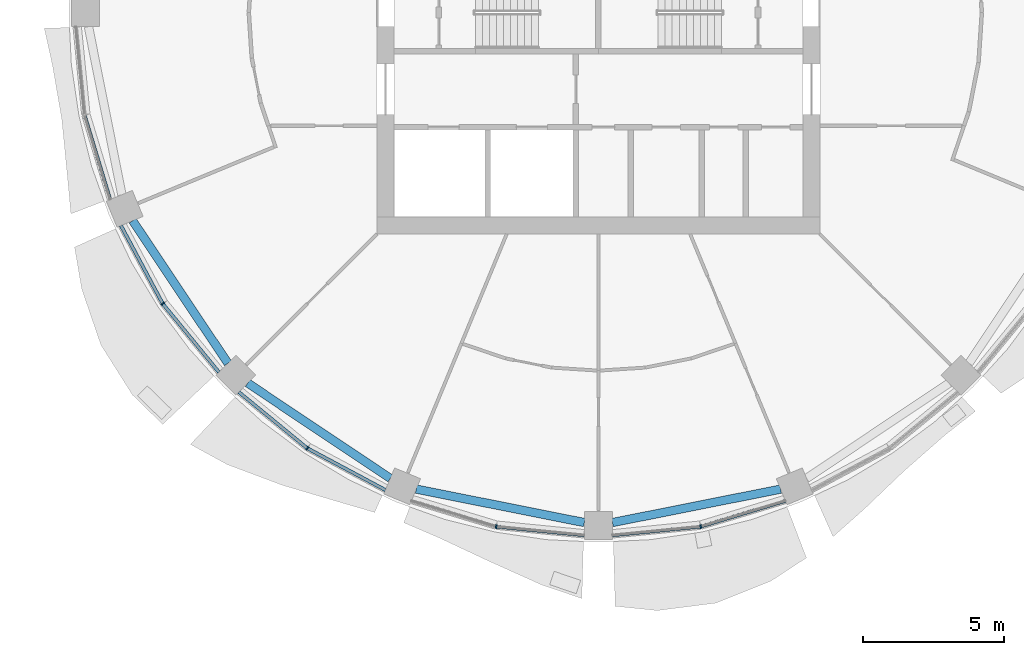
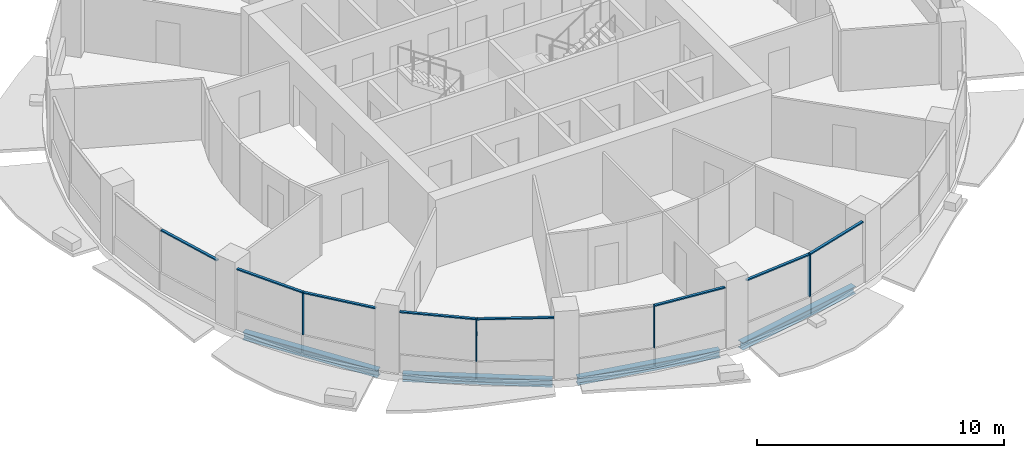
# One storey, part 2 of 15: 12 members, 4 beams, 5 elements without a shape of their own.
"""IFC4 building model written with IfcOpenShell, lengths in metres."""

from ifc_helpers import new_model, si_unit, direction, frame, origin, origin_2d, place, context, subcontext, project, spatial, rectangle, i_section, extrude, material, material_profile, profile_set, type_object, element, aggregate, save


model = new_model("IFC4")

# Units and contexts
model_context = context("Model", 3, precision=1e-05, world=origin(), true_north=direction((0.0, 1.0)))
body_context = subcontext(model_context, "Body", "Model", "MODEL_VIEW")
ifc_project = project(units=[si_unit("LENGTHUNIT", "METRE"), si_unit("AREAUNIT", "SQUARE_METRE"), si_unit("VOLUMEUNIT", "CUBIC_METRE"), si_unit("PLANEANGLEUNIT", "RADIAN"), si_unit("MASSUNIT", "GRAM", prefix="KILO")], contexts=[model_context])

# Site, building, storey
site_placement = place(None, origin())
site = spatial("IfcSite", under=ifc_project, at=site_placement, CompositionType="ELEMENT")
building_placement = place(site_placement, origin())
building = spatial("IfcBuilding", under=site, at=building_placement, Name="Polderwave Tower", CompositionType="ELEMENT")
storey_placement = place(building_placement, frame((0.0, 0.0, 151.10009765625)))
storey = spatial("IfcBuildingStorey", under=building, at=storey_placement, Name="L40", CompositionType="ELEMENT", Elevation=151.10009765625)

# Curtain wall, member
ifc_material_1 = material(Name="Aluminium 6063-T6 and glass", Category="aluminium")
curtain_wall_type = type_object("IfcCurtainWallType", Name="Office ribbon glazing wall", PredefinedType="NOTDEFINED", material=ifc_material_1)
curtain_wall_1_placement = place(storey_placement, origin())
curtain_wall_1 = element("IfcCurtainWall", 1, at=curtain_wall_1_placement, inside=storey, type_object=curtain_wall_type, Name="CW3 L40 09", PredefinedType="NOTDEFINED")
ifc_material_2 = material(Name="Aluminium 6063-T6", Category="aluminium")
ifc_material_profile_1 = material_profile(ifc_material_2, rectangle(XDim=0.139892578125, YDim=0.054931640625, at=origin_2d()), Name="AL 55x140")
ifc_profile_set_1 = profile_set([ifc_material_profile_1], Name="Aluminium 6063-T6")
member_type_1 = type_object("IfcMemberType", Name="Office ribbon glazing mullion 55x140", PredefinedType="MULLION", material=ifc_profile_set_1)
member_1_placement = place(storey_placement, frame((-15.489990234375, -10.35009765625, 0.89990234375), z_axis=(0.0, 0.0, 1.0), x_axis=(0.831484156812, 0.555548465006, 0.0)))
member_1 = element("IfcMember", 2, at=member_1_placement, type_object=member_type_1, Name="CW3 mullion 1", PredefinedType="MULLION", context=body_context, shape_type="SweptSolid", body=[
    extrude(rectangle(XDim=0.139892578125, YDim=0.054931640625, at=origin_2d()), origin(), (0.0, 0.0, 1.0), 2.10009765625),
])

curtain_wall_2_placement = place(storey_placement, origin())
curtain_wall_2 = element("IfcCurtainWall", 3, at=curtain_wall_2_placement, inside=storey, type_object=curtain_wall_type, Name="CW3 L40 10", PredefinedType="NOTDEFINED")
member_2_placement = place(storey_placement, frame((-10.35009765625, -15.489990234375, 0.89990234375), z_axis=(0.0, 0.0, 1.0), x_axis=(0.555548465006, 0.831484156812, 0.0)))
member_2 = element("IfcMember", 4, at=member_2_placement, type_object=member_type_1, Name="CW3 mullion 1", PredefinedType="MULLION", context=body_context, shape_type="SweptSolid", body=[
    extrude(rectangle(XDim=0.139892578125, YDim=0.054931640625, at=origin_2d()), origin(), (0.0, 0.0, 1.0), 2.10009765625),
])

curtain_wall_3_placement = place(storey_placement, origin())
curtain_wall_3 = element("IfcCurtainWall", 5, at=curtain_wall_3_placement, inside=storey, type_object=curtain_wall_type, Name="CW3 L40 11", PredefinedType="NOTDEFINED")
member_3_placement = place(storey_placement, frame((-3.635009765625, -18.27197265625, 0.89990234375), z_axis=(0.0, 0.0, 1.0), x_axis=(0.195083474838, 0.980786642367, 0.0)))
member_3 = element("IfcMember", 6, at=member_3_placement, type_object=member_type_1, Name="CW3 mullion 1", PredefinedType="MULLION", context=body_context, shape_type="SweptSolid", body=[
    extrude(rectangle(XDim=0.139892578125, YDim=0.054931640625, at=origin_2d()), origin(), (0.0, 0.0, 1.0), 2.10009765625),
])

curtain_wall_4_placement = place(storey_placement, origin())
curtain_wall_4 = element("IfcCurtainWall", 7, at=curtain_wall_4_placement, inside=storey, type_object=curtain_wall_type, Name="CW3 L40 12", PredefinedType="NOTDEFINED")
member_4_placement = place(storey_placement, frame((3.635009765625, -18.27197265625, 0.89990234375), z_axis=(0.0, 0.0, 1.0), x_axis=(-0.195083474838, 0.980786642367, 0.0)))
member_4 = element("IfcMember", 8, at=member_4_placement, type_object=member_type_1, Name="CW3 mullion 1", PredefinedType="MULLION", context=body_context, shape_type="SweptSolid", body=[
    extrude(rectangle(XDim=0.139892578125, YDim=0.054931640625, at=origin_2d()), origin(), (0.0, 0.0, 1.0), 2.10009765625),
])

curtain_wall_5_placement = place(storey_placement, origin())
curtain_wall_5 = element("IfcCurtainWall", 9, at=curtain_wall_5_placement, inside=storey, type_object=curtain_wall_type, Name="CW3 L40 08", PredefinedType="NOTDEFINED")
ifc_material_profile_2 = material_profile(ifc_material_2, rectangle(XDim=0.1201171875, YDim=0.06005859375, at=origin_2d()), Name="AL 60x120")
ifc_profile_set_2 = profile_set([ifc_material_profile_2], Name="Aluminium 6063-T6")
member_type_2 = type_object("IfcMemberType", Name="Office ribbon glazing transom 60x120", PredefinedType="USERDEFINED", material=ifc_profile_set_2)
member_5_placement = place(storey_placement, frame((-18.263916015625, -3.661376953125, 2.969970703125), z_axis=(0.290209241883, -0.956963215555, 0.0), x_axis=(0.956963215555, 0.290209241883, 0.0)))
member_5 = element("IfcMember", 10, at=member_5_placement, type_object=member_type_2, Name="CW3 transom 2", ObjectType="TRANSOM", PredefinedType="USERDEFINED", context=body_context, shape_type="SweptSolid", body=[
    extrude(rectangle(XDim=0.1201171875, YDim=0.06005859375, at=origin_2d()), origin(), (0.0, 0.0, 1.0), 3.121826171875),
])
aggregate(curtain_wall_5, [member_5])

# Member
member_6_placement = place(storey_placement, frame((-16.97509765625, -7.572021484375, 2.969970703125), z_axis=(0.471472684712, -0.881880665153, 0.0), x_axis=(0.881880665153, 0.471472684712, 0.0)))
member_6 = element("IfcMember", 11, at=member_6_placement, type_object=member_type_2, Name="CW3 transom 1", ObjectType="TRANSOM", PredefinedType="USERDEFINED", context=body_context, shape_type="SweptSolid", body=[
    extrude(rectangle(XDim=0.1201171875, YDim=0.06005859375, at=origin_2d()), origin(), (0.0, 0.0, 1.0), 3.12255859375),
])

member_7_placement = place(storey_placement, frame((-15.47265625, -10.371337890625, 2.969970703125), z_axis=(0.634382512988, -0.773019292913, 0.0), x_axis=(0.773019292913, 0.634382512988, 0.0)))
member_7 = element("IfcMember", 12, at=member_7_placement, type_object=member_type_2, Name="CW3 transom 2", ObjectType="TRANSOM", PredefinedType="USERDEFINED", context=body_context, shape_type="SweptSolid", body=[
    extrude(rectangle(XDim=0.1201171875, YDim=0.06005859375, at=origin_2d()), origin(), (0.0, 0.0, 1.0), 3.122314453125),
])

aggregate(curtain_wall_1, [member_1, member_6, member_7])

member_8_placement = place(storey_placement, frame((-12.784912109375, -13.491943359375, 2.969970703125), z_axis=(0.773019292913, -0.634382512988, 0.0), x_axis=(0.634382512988, 0.773019292913, 0.0)))
member_8 = element("IfcMember", 13, at=member_8_placement, type_object=member_type_2, Name="CW3 transom 1", ObjectType="TRANSOM", PredefinedType="USERDEFINED", context=body_context, shape_type="SweptSolid", body=[
    extrude(rectangle(XDim=0.1201171875, YDim=0.06005859375, at=origin_2d()), origin(), (0.0, 0.0, 1.0), 3.122314453125),
])

member_9_placement = place(storey_placement, frame((-10.32568359375, -15.5029296875, 2.969970703125), z_axis=(0.881880665153, -0.471472684712, 0.0), x_axis=(0.471472684712, 0.881880665153, 0.0)))
member_9 = element("IfcMember", 14, at=member_9_placement, type_object=member_type_2, Name="CW3 transom 2", ObjectType="TRANSOM", PredefinedType="USERDEFINED", context=body_context, shape_type="SweptSolid", body=[
    extrude(rectangle(XDim=0.1201171875, YDim=0.06005859375, at=origin_2d()), origin(), (0.0, 0.0, 1.0), 3.12255859375),
])

aggregate(curtain_wall_2, [member_2, member_8, member_9])

member_10_placement = place(storey_placement, frame((-3.607666015625, -18.274658203125, 2.969970703125), z_axis=(0.995174785119, -0.098118026186, 0.0), x_axis=(0.098118026186, 0.995174785119, 0.0)))
member_10 = element("IfcMember", 15, at=member_10_placement, type_object=member_type_2, Name="CW3 transom 2", ObjectType="TRANSOM", PredefinedType="USERDEFINED", context=body_context, shape_type="SweptSolid", body=[
    extrude(rectangle(XDim=0.1201171875, YDim=0.06005859375, at=origin_2d()), origin(), (0.0, 0.0, 1.0), 3.122802734375),
])

aggregate(curtain_wall_3, [member_3, member_10])

member_11_placement = place(storey_placement, frame((0.5, -18.5810546875, 2.969970703125), z_axis=(0.995174785119, 0.098118026186, 0.0), x_axis=(-0.098118026186, 0.995174785119, 0.0)))
member_11 = element("IfcMember", 16, at=member_11_placement, type_object=member_type_2, Name="CW3 transom 1", ObjectType="TRANSOM", PredefinedType="USERDEFINED", context=body_context, shape_type="SweptSolid", body=[
    extrude(rectangle(XDim=0.1201171875, YDim=0.06005859375, at=origin_2d()), origin(), (0.0, 0.0, 1.0), 3.122802734375),
])

member_12_placement = place(storey_placement, frame((3.661376953125, -18.263916015625, 2.969970703125), z_axis=(0.956963215555, 0.290209241883, 0.0), x_axis=(-0.290209241883, 0.956963215555, 0.0)))
member_12 = element("IfcMember", 17, at=member_12_placement, type_object=member_type_2, Name="CW3 transom 2", ObjectType="TRANSOM", PredefinedType="USERDEFINED", context=body_context, shape_type="SweptSolid", body=[
    extrude(rectangle(XDim=0.1201171875, YDim=0.06005859375, at=origin_2d()), origin(), (0.0, 0.0, 1.0), 3.121826171875),
])

aggregate(curtain_wall_4, [member_4, member_11, member_12])

# Beams
ifc_material_3 = material(Name="Steel S355", Category="steel")
ifc_material_profile_3 = material_profile(ifc_material_3, i_section(OverallWidth=0.300048828125, OverallDepth=0.360107421875, WebThickness=0.012451171875, FlangeThickness=0.0224609375, at=origin_2d()), Name="HE 360 B")
ifc_profile_set_3 = profile_set([ifc_material_profile_3], Name="Steel S355")
beam_type = type_object("IfcBeamType", Name="RING BEAM HE 360 B", PredefinedType="BEAM", material=ifc_profile_set_3)
for number, where, z_axis, x_axis, name in (
    (18, (-16.55908203125, -7.400146484375, -0.530029296875), (0.555550531273, -0.831482776251, 0.0), (0.831482776251, 0.555550531273, 0.0), "ST-RB-L40-09"),
    (19, (-12.466796875, -13.173828125, -0.530029296875), (0.831482776251, -0.555550531273, 0.0), (0.555550531273, 0.831482776251, 0.0), "ST-RB-L40-10"),
    (20, (-6.476318359375, -16.94189453125, -0.530029296875), (0.980786628445, -0.19508354483, 0.0), (0.19508354483, 0.980786628445, 0.0), "ST-RB-L40-11"),
    (21, (0.5, -18.130615234375, -0.530029296875), (0.980786628445, 0.19508354483, 0.0), (-0.19508354483, 0.980786628445, 0.0), "ST-RB-L40-12"),
):
    element("IfcBeam", number, at=place(storey_placement, frame(where, z_axis=z_axis, x_axis=x_axis)), inside=storey, type_object=beam_type, Name=name, PredefinedType="BEAM", context=body_context, shape_type="SweptSolid", body=[
        extrude(i_section(OverallWidth=0.300048828125, OverallDepth=0.360107421875, WebThickness=0.012451171875, FlangeThickness=0.0224609375, at=origin_2d()), origin(), (0.0, 0.0, 1.0), 6.093505859375),
    ])

save(model, "model.ifc")
